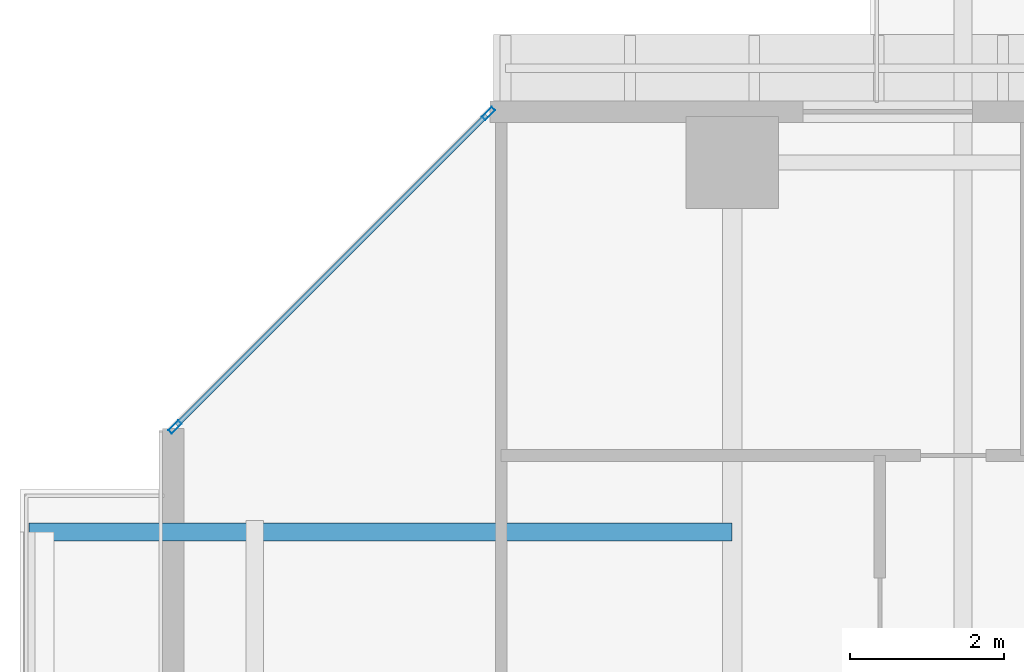
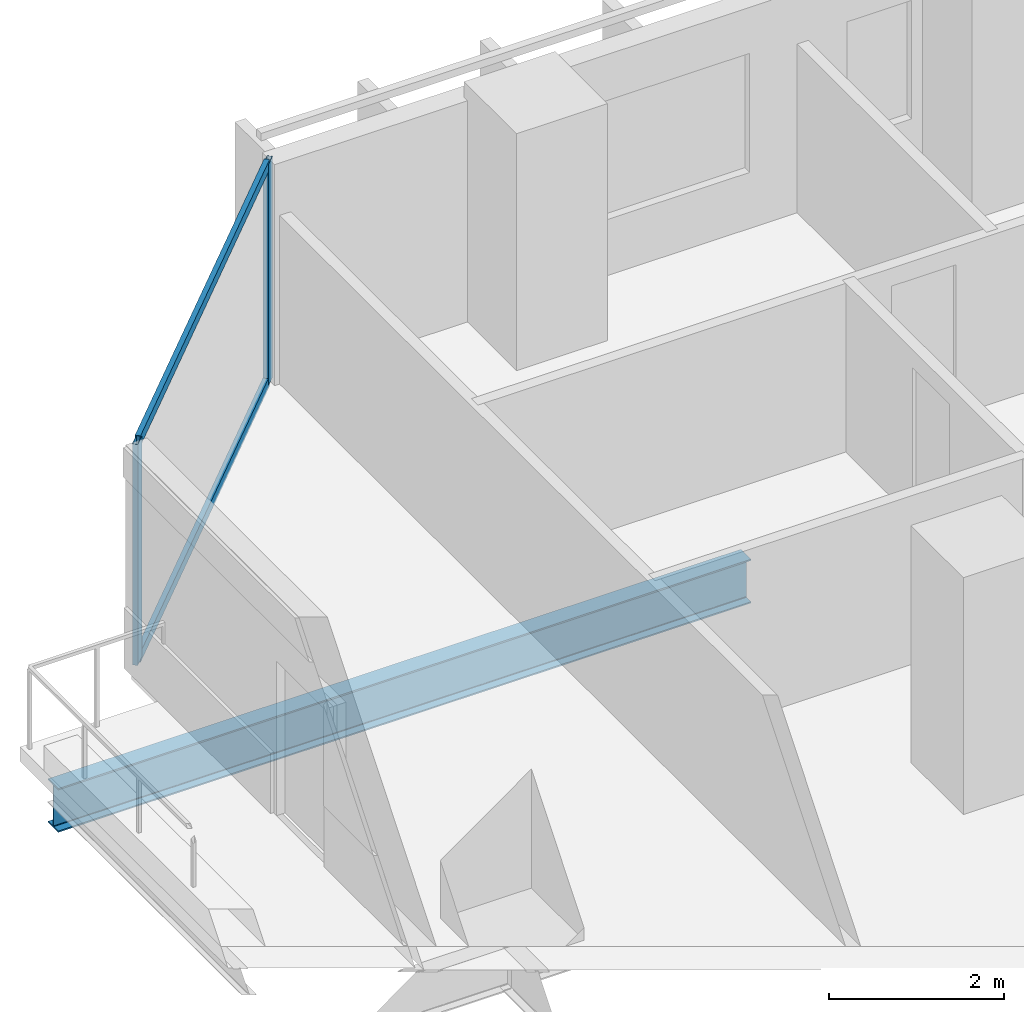
# One storey, part 8 of 33: 4 members, 1 beam, 1 element without a shape of its own.
"""IFC4 building model written with IfcOpenShell, lengths in metres."""

from ifc_helpers import new_model, si_unit, direction, frame, origin, origin_2d, place, context, subcontext, project, spatial, hollow_rectangle, i_section, extrude, material, layer, layer_set, material_profile, profile_set, type_object, element, aggregate, save


model = new_model("IFC4")

# Units and contexts
model_context = context("Model", 3, precision=1e-05, world=origin(), true_north=direction((0.0, 1.0)))
body_context = subcontext(model_context, "Body", "Model", "MODEL_VIEW")
ifc_project = project(units=[si_unit("LENGTHUNIT", "METRE"), si_unit("AREAUNIT", "SQUARE_METRE"), si_unit("VOLUMEUNIT", "CUBIC_METRE"), si_unit("PLANEANGLEUNIT", "RADIAN"), si_unit("MASSUNIT", "GRAM", prefix="KILO")], contexts=[model_context])

# Site, building, storey
site_placement = place(None, origin())
site = spatial("IfcSite", under=ifc_project, at=site_placement, CompositionType="ELEMENT")
building_placement = place(site_placement, origin())
building = spatial("IfcBuilding", under=site, at=building_placement, Name="Tanjung Sevakor Pilgrim Tower", CompositionType="ELEMENT")
storey_placement = place(building_placement, frame((0.0, 0.0, 52.139892578125)))
storey = spatial("IfcBuildingStorey", under=building, at=storey_placement, Name="L14", CompositionType="ELEMENT", Elevation=52.139892578125)

# Beam
ifc_material_1 = material(Name="Steel S355J2", Category="steel")
ifc_material_profile_1 = material_profile(ifc_material_1, i_section(OverallWidth=0.22900390625, OverallDepth=0.6123046875, WebThickness=0.011962890625, FlangeThickness=0.01953125, FilletRadius=0.0126953125, at=origin_2d()))
ifc_profile_set_1 = profile_set([ifc_material_profile_1], Name="Steel S355J2")
beam_type = type_object("IfcBeamType", Name="BM-B-G4-UB_610x229x125", PredefinedType="BEAM", material=ifc_profile_set_1)
beam_placement = place(storey_placement, frame((24.0, 54.0, -0.52587890625), z_axis=(-1.0, 0.0, 0.0), x_axis=(0.0, -1.0, 0.0)))
element("IfcBeam", 1, at=beam_placement, inside=storey, type_object=beam_type, Name="L14 Balcony Overhanging Beam MAIN-W1-2", PredefinedType="BEAM", context=body_context, shape_type="SweptSolid", body=[
    extrude(i_section(OverallWidth=0.22900390625, OverallDepth=0.6123046875, WebThickness=0.011962890625, FlangeThickness=0.01953125, FilletRadius=0.0126953125, at=origin_2d()), origin(), (0.0, 0.0, 1.0), 9.1298828125),
])

# Curtain wall, members
ifc_material_2 = material(Name="Aluminium 6063-T6 and Low-E Glass", Category="aluminium")
ifc_layer = layer(ifc_material_2, 0.179931640625)
ifc_layer_set = layer_set([ifc_layer], Name="CW-SYS-CHAM")
curtain_wall_type = type_object("IfcCurtainWallType", Name="CW-SYS-CHAM", PredefinedType="NOTDEFINED", material=ifc_layer_set)
curtain_wall_placement = place(storey_placement, origin())
curtain_wall = element("IfcCurtainWall", 2, at=curtain_wall_placement, inside=storey, type_object=curtain_wall_type, Name="L14 Curtain Wall CW-CHM-L14-MAIN-13", PredefinedType="NOTDEFINED")
ifc_material_3 = material(Name="Aluminium 6063-T6", Category="aluminium")
ifc_material_profile_2 = material_profile(ifc_material_3, hollow_rectangle(XDim=0.06494140625, YDim=0.179931640625, WallThickness=0.00390625, at=origin_2d()))
ifc_profile_set_2 = profile_set([ifc_material_profile_2], Name="Aluminium 6063-T6")
member_type_1 = type_object("IfcMemberType", Name="TYPE-CWM-1", PredefinedType="MULLION", material=ifc_profile_set_2)
member_1_placement = place(storey_placement, frame((20.8349609375, 59.43701171875, 0.0), z_axis=(0.0, 0.0, 1.0), x_axis=(0.707106781187, -0.707106781187, 0.0)))
member_1 = element("IfcMember", 3, at=member_1_placement, type_object=member_type_1, Name="CW-CHM mullion 1", PredefinedType="MULLION", context=body_context, shape_type="SweptSolid", body=[
    extrude(hollow_rectangle(XDim=0.06494140625, YDim=0.179931640625, WallThickness=0.00390625, at=origin_2d()), origin(), (0.0, 0.0, 1.0), 3.080078125),
])
member_2_placement = place(storey_placement, frame((16.762939453125, 55.364990234375, 0.0), z_axis=(0.0, 0.0, 1.0), x_axis=(0.707106781187, -0.707106781187, 0.0)))
member_2 = element("IfcMember", 4, at=member_2_placement, type_object=member_type_1, Name="CW-CHM mullion 2", PredefinedType="MULLION", context=body_context, shape_type="SweptSolid", body=[
    extrude(hollow_rectangle(XDim=0.06494140625, YDim=0.179931640625, WallThickness=0.00390625, at=origin_2d()), origin(), (0.0, 0.0, 1.0), 3.080078125),
])
ifc_material_4 = material(Name="Aluminium 6063-T6", Category="aluminium")
ifc_material_profile_3 = material_profile(ifc_material_4, hollow_rectangle(XDim=0.06494140625, YDim=0.139892578125, WallThickness=0.00390625, at=origin_2d()))
ifc_profile_set_3 = profile_set([ifc_material_profile_3], Name="Aluminium 6063-T6")
member_type_2 = type_object("IfcMemberType", Name="TYPE-CWT-1", PredefinedType="USERDEFINED", material=ifc_profile_set_3)
member_3_placement = place(storey_placement, frame((20.81201171875, 59.4140625, 0.03271484375), z_axis=(-0.707106781187, -0.707106781187, 0.0), x_axis=(0.707106781187, -0.707106781187, 0.0)))
member_3 = element("IfcMember", 5, at=member_3_placement, type_object=member_type_2, Name="CW-CHM transom 1.1", ObjectType="TRANSOM", PredefinedType="USERDEFINED", context=body_context, shape_type="SweptSolid", body=[
    extrude(hollow_rectangle(XDim=0.06494140625, YDim=0.139892578125, WallThickness=0.00390625, at=origin_2d()), origin(), (0.0, 0.0, 1.0), 5.69384765625),
])
member_4_placement = place(storey_placement, frame((20.81201171875, 59.4140625, 3.047607421875), z_axis=(-0.707106781187, -0.707106781187, 0.0), x_axis=(0.707106781187, -0.707106781187, 0.0)))
member_4 = element("IfcMember", 6, at=member_4_placement, type_object=member_type_2, Name="CW-CHM transom 1.2", ObjectType="TRANSOM", PredefinedType="USERDEFINED", context=body_context, shape_type="SweptSolid", body=[
    extrude(hollow_rectangle(XDim=0.06494140625, YDim=0.139892578125, WallThickness=0.00390625, at=origin_2d()), origin(), (0.0, 0.0, 1.0), 5.69384765625),
])
aggregate(curtain_wall, [member_1, member_2, member_3, member_4])

save(model, "model.ifc")
